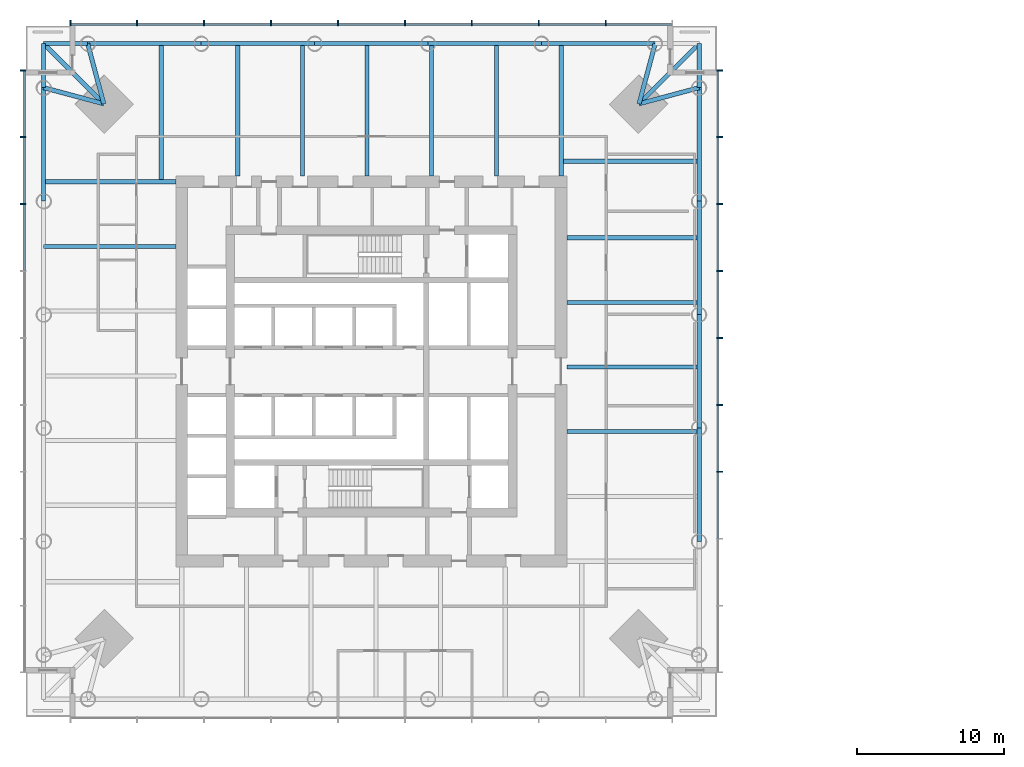
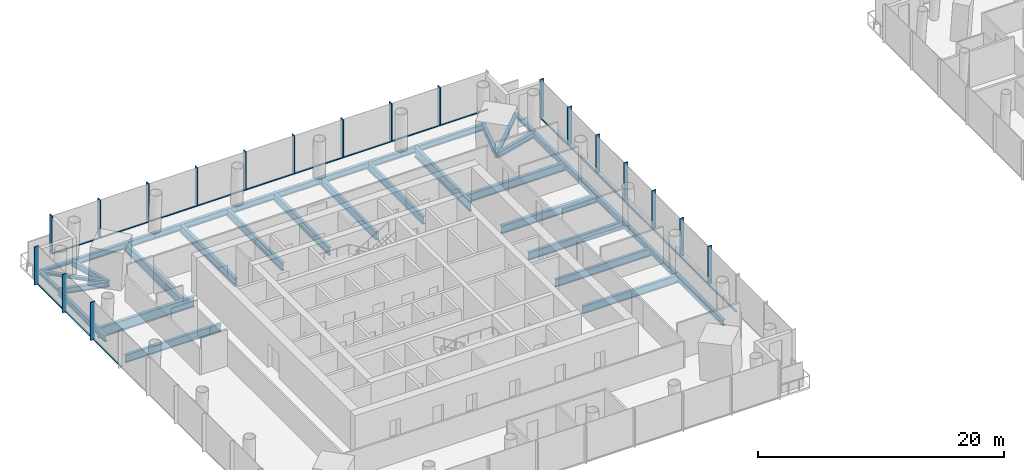
# One storey, part 3 of 18: 38 members, 33 beams, 3 elements without a shape of their own.
"""IFC4 building model written with IfcOpenShell, lengths in metres."""

from ifc_helpers import new_model, si_unit, direction, frame, origin, origin_2d, place, context, subcontext, project, spatial, rectangle, i_section, extrude, material, material_profile, profile_set, type_object, element, aggregate, save


model = new_model("IFC4")

# Units and contexts
model_context = context("Model", 3, precision=1e-05, world=origin(), true_north=direction((0.0, 1.0)))
body_context = subcontext(model_context, "Body", "Model", "MODEL_VIEW")
ifc_project = project(units=[si_unit("LENGTHUNIT", "METRE"), si_unit("AREAUNIT", "SQUARE_METRE"), si_unit("VOLUMEUNIT", "CUBIC_METRE"), si_unit("PLANEANGLEUNIT", "RADIAN"), si_unit("MASSUNIT", "GRAM", prefix="KILO")], contexts=[model_context])

# Site, building, storey
site_placement = place(None, origin())
site = spatial("IfcSite", under=ifc_project, at=site_placement, CompositionType="ELEMENT")
building_placement = place(site_placement, origin())
building = spatial("IfcBuilding", under=site, at=building_placement, Name="Ostroluk Exchange", CompositionType="ELEMENT")
storey_placement = place(building_placement, frame((0.0, 0.0, 74.199951171875)))
storey = spatial("IfcBuildingStorey", under=building, at=storey_placement, Name="L18", CompositionType="ELEMENT", Elevation=74.199951171875)

# Beams
ifc_material_1 = material(Name="Steel S355", Category="steel")
ifc_material_profile_1 = material_profile(ifc_material_1, i_section(OverallWidth=0.300048828125, OverallDepth=0.300048828125, WebThickness=0.010986328125, FlangeThickness=0.01904296875, FilletRadius=0.027099609375, at=origin_2d()), Name="HEB 300")
ifc_profile_set_1 = profile_set([ifc_material_profile_1], Name="Steel S355")
beam_type_1 = type_object("IfcBeamType", Name="Balcony beam HEB 300", PredefinedType="BEAM", material=ifc_profile_set_1)
beam_1_placement = place(storey_placement, frame((67.300048828125, 65.300048828125, -0.329833984375), z_axis=(0.0, 1.0, 0.0), x_axis=(-1.0, 0.0, 0.0)))
element("IfcBeam", 1, at=beam_1_placement, inside=storey, type_object=beam_type_1, Name="T1 east balcony beam a", PredefinedType="BEAM", context=body_context, shape_type="SweptSolid", body=[
    extrude(i_section(OverallWidth=0.300048828125, OverallDepth=0.300048828125, WebThickness=0.010986328125, FlangeThickness=0.01904296875, FilletRadius=0.027099609375, at=origin_2d()), origin(), (0.0, 0.0, 1.0), 3.0),
])
beam_2_placement = place(storey_placement, frame((63.199951171875, 64.199951171875, -0.329833984375), z_axis=(0.707106781187, 0.707106781187, 0.0), x_axis=(-0.707106781187, 0.707106781187, 0.0)))
element("IfcBeam", 2, at=beam_2_placement, inside=storey, type_object=beam_type_1, Name="T1 east balcony beam c", PredefinedType="BEAM", context=body_context, shape_type="SweptSolid", body=[
    extrude(i_section(OverallWidth=0.300048828125, OverallDepth=0.300048828125, WebThickness=0.010986328125, FlangeThickness=0.01904296875, FilletRadius=0.027099609375, at=origin_2d()), origin(), (0.0, 0.0, 1.0), 5.79833984375),
])
for number, where, z_axis, x_axis, name in (
    (3, (25.699951171875, 68.300048828125, -0.329833984375), (-1.0, 0.0, 0.0), (0.0, -1.0, 0.0), "T1 north balcony beam a"),
    (4, (22.699951171875, 65.300048828125, -0.329833984375), (0.0, 1.0, 0.0), (-1.0, 0.0, 0.0), "T1 north balcony beam b"),
):
    element("IfcBeam", number, at=place(storey_placement, frame(where, z_axis=z_axis, x_axis=x_axis)), inside=storey, type_object=beam_type_1, Name=name, PredefinedType="BEAM", context=body_context, shape_type="SweptSolid", body=[
        extrude(i_section(OverallWidth=0.300048828125, OverallDepth=0.300048828125, WebThickness=0.010986328125, FlangeThickness=0.01904296875, FilletRadius=0.027099609375, at=origin_2d()), origin(), (0.0, 0.0, 1.0), 3.0),
    ])
beam_3_placement = place(storey_placement, frame((26.800048828125, 64.199951171875, -0.329833984375), z_axis=(-0.707106781187, 0.707106781187, 0.0), x_axis=(-0.707106781187, -0.707106781187, 0.0)))
element("IfcBeam", 5, at=beam_3_placement, inside=storey, type_object=beam_type_1, Name="T1 north balcony beam c", PredefinedType="BEAM", context=body_context, shape_type="SweptSolid", body=[
    extrude(i_section(OverallWidth=0.300048828125, OverallDepth=0.300048828125, WebThickness=0.010986328125, FlangeThickness=0.01904296875, FilletRadius=0.027099609375, at=origin_2d()), origin(), (0.0, 0.0, 1.0), 5.79833984375),
])
ifc_material_2 = material(Name="Steel S355", Category="steel")
ifc_material_profile_2 = material_profile(ifc_material_2, i_section(OverallWidth=0.300048828125, OverallDepth=0.550048828125, WebThickness=0.014892578125, FlangeThickness=0.029052734375, FilletRadius=0.027099609375, at=origin_2d()), Name="HEB 550")
ifc_profile_set_2 = profile_set([ifc_material_profile_2], Name="Steel S355")
beam_type_2 = type_object("IfcBeamType", Name="Corner edge beam HEB 550", PredefinedType="SPANDREL", material=ifc_profile_set_2)
for number, where, z_axis, x_axis, name in (
    (6, (63.199951171875, 64.199951171875, -0.454833984375), (0.965838624319, 0.259144268261, 0.0), (-0.259144268261, 0.965838624319, 0.0), "T1 east corner edge beam a"),
    (7, (63.199951171875, 64.199951171875, -0.454833984375), (0.259144268261, 0.965838624319, 0.0), (-0.965838624319, 0.259144268261, 0.0), "T1 east corner edge beam b"),
    (8, (26.800048828125, 64.199951171875, -0.454833984375), (-0.259144268261, 0.965838624319, 0.0), (-0.965838624319, -0.259144268261, 0.0), "T1 north corner edge beam a"),
    (9, (26.800048828125, 64.199951171875, -0.454833984375), (-0.965838624319, 0.259144268261, 0.0), (-0.259144268261, -0.965838624319, 0.0), "T1 north corner edge beam b"),
):
    element("IfcBeam", number, at=place(storey_placement, frame(where, z_axis=z_axis, x_axis=x_axis)), inside=storey, type_object=beam_type_2, Name=name, PredefinedType="SPANDREL", context=body_context, shape_type="SweptSolid", body=[
        extrude(i_section(OverallWidth=0.300048828125, OverallDepth=0.550048828125, WebThickness=0.014892578125, FlangeThickness=0.029052734375, FilletRadius=0.027099609375, at=origin_2d()), origin(), (0.0, 0.0, 1.0), 4.2451171875),
    ])
ifc_material_3 = material(Name="Steel S355", Category="steel")
ifc_material_profile_3 = material_profile(ifc_material_3, i_section(OverallWidth=0.302978515625, OverallDepth=0.81396484375, WebThickness=0.02099609375, FlangeThickness=0.0400390625, FilletRadius=0.030029296875, at=origin_2d()), Name="HEM 800")
ifc_profile_set_3 = profile_set([ifc_material_profile_3], Name="Steel S355")
beam_type_3 = type_object("IfcBeamType", Name="Floor beam HEM 800", PredefinedType="BEAM", material=ifc_profile_set_3)
beam_4_placement = place(storey_placement, frame((58.300048828125, 55.10009765625, -0.5869140625), z_axis=(1.0, 0.0, 0.0), x_axis=(0.0, 1.0, 0.0)))
element("IfcBeam", 10, at=beam_4_placement, inside=storey, type_object=beam_type_3, Name="T1 east floor beam 5", PredefinedType="BEAM", context=body_context, shape_type="SweptSolid", body=[
    extrude(i_section(OverallWidth=0.302978515625, OverallDepth=0.81396484375, WebThickness=0.02099609375, FlangeThickness=0.0400390625, FilletRadius=0.030029296875, at=origin_2d()), origin(), (0.0, 0.0, 1.0), 9.0),
])
beam_5_placement = place(storey_placement, frame((57.89990234375, 60.300048828125, -0.5869140625), z_axis=(1.0, 0.0, 0.0), x_axis=(0.0, 1.0, 0.0)))
element("IfcBeam", 11, at=beam_5_placement, inside=storey, type_object=beam_type_3, Name="T1 east floor beam 6", PredefinedType="BEAM", context=body_context, shape_type="SweptSolid", body=[
    extrude(i_section(OverallWidth=0.302978515625, OverallDepth=0.81396484375, WebThickness=0.02099609375, FlangeThickness=0.0400390625, FilletRadius=0.030029296875, at=origin_2d()), origin(), (0.0, 0.0, 1.0), 9.400146484375),
])
beam_6_placement = place(storey_placement, frame((35.89990234375, 59.300048828125, -0.5869140625), z_axis=(0.0, 1.0, 0.0), x_axis=(-1.0, 0.0, 0.0)))
element("IfcBeam", 12, at=beam_6_placement, inside=storey, type_object=beam_type_3, Name="T1 north floor beam 5", PredefinedType="BEAM", context=body_context, shape_type="SweptSolid", body=[
    extrude(i_section(OverallWidth=0.302978515625, OverallDepth=0.81396484375, WebThickness=0.02099609375, FlangeThickness=0.0400390625, FilletRadius=0.030029296875, at=origin_2d()), origin(), (0.0, 0.0, 1.0), 9.0),
])
beam_7_placement = place(storey_placement, frame((30.699951171875, 58.89990234375, -0.5869140625), z_axis=(0.0, 1.0, 0.0), x_axis=(-1.0, 0.0, 0.0)))
element("IfcBeam", 13, at=beam_7_placement, inside=storey, type_object=beam_type_3, Name="T1 north floor beam 6", PredefinedType="BEAM", context=body_context, shape_type="SweptSolid", body=[
    extrude(i_section(OverallWidth=0.302978515625, OverallDepth=0.81396484375, WebThickness=0.02099609375, FlangeThickness=0.0400390625, FilletRadius=0.030029296875, at=origin_2d()), origin(), (0.0, 0.0, 1.0), 9.400146484375),
])
ifc_material_4 = material(Name="Steel S355", Category="steel")
ifc_material_profile_4 = material_profile(ifc_material_4, i_section(OverallWidth=0.26806640625, OverallDepth=0.77001953125, WebThickness=0.015625, FlangeThickness=0.025390625, FilletRadius=0.01708984375, at=origin_2d()), Name="IPE 750x196")
ifc_profile_set_4 = profile_set([ifc_material_profile_4], Name="Steel S355")
beam_type_4 = type_object("IfcBeamType", Name="Floor beam IPE 750x196", PredefinedType="BEAM", material=ifc_profile_set_4)
for number, where, z_axis, x_axis, name in (
    (14, (58.300048828125, 41.89990234375, -0.56494140625), (1.0, 0.0, 0.0), (0.0, 1.0, 0.0), "T1 east floor beam 2"),
    (15, (58.300048828125, 46.300048828125, -0.56494140625), (1.0, 0.0, 0.0), (0.0, 1.0, 0.0), "T1 east floor beam 3"),
    (16, (58.300048828125, 50.699951171875, -0.56494140625), (1.0, 0.0, 0.0), (0.0, 1.0, 0.0), "T1 east floor beam 4"),
    (17, (53.5, 59.300048828125, -0.56494140625), (0.0, 1.0, 0.0), (-1.0, 0.0, 0.0), "T1 north floor beam 1"),
    (18, (49.10009765625, 59.300048828125, -0.56494140625), (0.0, 1.0, 0.0), (-1.0, 0.0, 0.0), "T1 north floor beam 2"),
    (19, (44.699951171875, 59.300048828125, -0.56494140625), (0.0, 1.0, 0.0), (-1.0, 0.0, 0.0), "T1 north floor beam 3"),
    (20, (40.300048828125, 59.300048828125, -0.56494140625), (0.0, 1.0, 0.0), (-1.0, 0.0, 0.0), "T1 north floor beam 4"),
    (21, (31.699951171875, 54.5, -0.56494140625), (-1.0, 0.0, 0.0), (0.0, -1.0, 0.0), "T1 west floor beam 1"),
):
    element("IfcBeam", number, at=place(storey_placement, frame(where, z_axis=z_axis, x_axis=x_axis)), inside=storey, type_object=beam_type_4, Name=name, PredefinedType="BEAM", context=body_context, shape_type="SweptSolid", body=[
        extrude(i_section(OverallWidth=0.26806640625, OverallDepth=0.77001953125, WebThickness=0.015625, FlangeThickness=0.025390625, FilletRadius=0.01708984375, at=origin_2d()), origin(), (0.0, 0.0, 1.0), 9.0),
    ])
ifc_material_5 = material(Name="Steel S355", Category="steel")
ifc_material_profile_5 = material_profile(ifc_material_5, i_section(OverallWidth=0.302001953125, OverallDepth=1.008056640625, WebThickness=0.02099609375, FlangeThickness=0.0400390625, FilletRadius=0.030029296875, at=origin_2d()), Name="HEM 1000")
ifc_profile_set_5 = profile_set([ifc_material_profile_5], Name="Steel S355")
beam_type_5 = type_object("IfcBeamType", Name="Girder HEM 1000", PredefinedType="BEAM", material=ifc_profile_set_5)
for number, where, z_axis, x_axis, name in (
    (22, (57.89990234375, 59.300048828125, -0.683837890625), (0.0, 1.0, 0.0), (-1.0, 0.0, 0.0), "T1 east girder"),
    (23, (31.699951171875, 58.89990234375, -0.683837890625), (-1.0, 0.0, 0.0), (0.0, -1.0, 0.0), "T1 north girder"),
):
    element("IfcBeam", number, at=place(storey_placement, frame(where, z_axis=z_axis, x_axis=x_axis)), inside=storey, type_object=beam_type_5, Name=name, PredefinedType="BEAM", context=body_context, shape_type="SweptSolid", body=[
        extrude(i_section(OverallWidth=0.302001953125, OverallDepth=1.008056640625, WebThickness=0.02099609375, FlangeThickness=0.0400390625, FilletRadius=0.030029296875, at=origin_2d()), origin(), (0.0, 0.0, 1.0), 9.0),
    ])
ifc_material_6 = material(Name="Steel S355", Category="steel")
ifc_material_profile_6 = material_profile(ifc_material_6, i_section(OverallWidth=0.300048828125, OverallDepth=0.60009765625, WebThickness=0.015380859375, FlangeThickness=0.030029296875, FilletRadius=0.027099609375, at=origin_2d()), Name="HEB 600")
ifc_profile_set_6 = profile_set([ifc_material_profile_6], Name="Steel S355")
beam_type_6 = type_object("IfcBeamType", Name="Moment-connected edge beam HEB 600", PredefinedType="SPANDREL", material=ifc_profile_set_6)
beam_8_placement = place(storey_placement, frame((67.300048828125, 34.419921875, -0.47998046875), z_axis=(0.0, 1.0, 0.0), x_axis=(-1.0, 0.0, 0.0)))
element("IfcBeam", 24, at=beam_8_placement, inside=storey, type_object=beam_type_6, Name="T1 east edge beam 2", PredefinedType="SPANDREL", context=body_context, shape_type="SweptSolid", body=[
    extrude(i_section(OverallWidth=0.300048828125, OverallDepth=0.60009765625, WebThickness=0.015380859375, FlangeThickness=0.030029296875, FilletRadius=0.027099609375, at=origin_2d()), origin(), (0.0, 0.0, 1.0), 7.719970703125),
])
beam_9_placement = place(storey_placement, frame((67.300048828125, 42.139892578125, -0.47998046875), z_axis=(0.0, 1.0, 0.0), x_axis=(-1.0, 0.0, 0.0)))
element("IfcBeam", 25, at=beam_9_placement, inside=storey, type_object=beam_type_6, Name="T1 east edge beam 3", PredefinedType="SPANDREL", context=body_context, shape_type="SweptSolid", body=[
    extrude(i_section(OverallWidth=0.300048828125, OverallDepth=0.60009765625, WebThickness=0.015380859375, FlangeThickness=0.030029296875, FilletRadius=0.027099609375, at=origin_2d()), origin(), (0.0, 0.0, 1.0), 7.72021484375),
])
for number, where, z_axis, x_axis, name in (
    (26, (67.300048828125, 49.860107421875, -0.47998046875), (0.0, 1.0, 0.0), (-1.0, 0.0, 0.0), "T1 east edge beam 4"),
    (27, (67.300048828125, 57.580078125, -0.47998046875), (0.0, 1.0, 0.0), (-1.0, 0.0, 0.0), "T1 east edge beam 5"),
    (28, (64.300048828125, 68.300048828125, -0.47998046875), (-1.0, 0.0, 0.0), (0.0, -1.0, 0.0), "T1 north edge beam 1"),
    (29, (56.580078125, 68.300048828125, -0.47998046875), (-1.0, 0.0, 0.0), (0.0, -1.0, 0.0), "T1 north edge beam 2"),
):
    element("IfcBeam", number, at=place(storey_placement, frame(where, z_axis=z_axis, x_axis=x_axis)), inside=storey, type_object=beam_type_6, Name=name, PredefinedType="SPANDREL", context=body_context, shape_type="SweptSolid", body=[
        extrude(i_section(OverallWidth=0.300048828125, OverallDepth=0.60009765625, WebThickness=0.015380859375, FlangeThickness=0.030029296875, FilletRadius=0.027099609375, at=origin_2d()), origin(), (0.0, 0.0, 1.0), 7.719970703125),
    ])
beam_10_placement = place(storey_placement, frame((48.860107421875, 68.300048828125, -0.47998046875), z_axis=(-1.0, 0.0, 0.0), x_axis=(0.0, -1.0, 0.0)))
element("IfcBeam", 30, at=beam_10_placement, inside=storey, type_object=beam_type_6, Name="T1 north edge beam 3", PredefinedType="SPANDREL", context=body_context, shape_type="SweptSolid", body=[
    extrude(i_section(OverallWidth=0.300048828125, OverallDepth=0.60009765625, WebThickness=0.015380859375, FlangeThickness=0.030029296875, FilletRadius=0.027099609375, at=origin_2d()), origin(), (0.0, 0.0, 1.0), 7.72021484375),
])
for number, where, z_axis, x_axis, name in (
    (31, (41.139892578125, 68.300048828125, -0.47998046875), (-1.0, 0.0, 0.0), (0.0, -1.0, 0.0), "T1 north edge beam 4"),
    (32, (33.419921875, 68.300048828125, -0.47998046875), (-1.0, 0.0, 0.0), (0.0, -1.0, 0.0), "T1 north edge beam 5"),
    (33, (22.699951171875, 65.300048828125, -0.47998046875), (0.0, -1.0, 0.0), (1.0, 0.0, 0.0), "T1 west edge beam 1"),
):
    element("IfcBeam", number, at=place(storey_placement, frame(where, z_axis=z_axis, x_axis=x_axis)), inside=storey, type_object=beam_type_6, Name=name, PredefinedType="SPANDREL", context=body_context, shape_type="SweptSolid", body=[
        extrude(i_section(OverallWidth=0.300048828125, OverallDepth=0.60009765625, WebThickness=0.015380859375, FlangeThickness=0.030029296875, FilletRadius=0.027099609375, at=origin_2d()), origin(), (0.0, 0.0, 1.0), 7.719970703125),
    ])

# Curtain wall, members
ifc_material_7 = material(Name="Laminated clear glass", Category="glass")
curtain_wall_type = type_object("IfcCurtainWallType", Name="Office tower facade", PredefinedType="USERDEFINED", material=ifc_material_7)
curtain_wall_1_placement = place(storey_placement, origin())
curtain_wall_1 = element("IfcCurtainWall", 34, at=curtain_wall_1_placement, inside=storey, type_object=curtain_wall_type, Name="Office tower east facade L18", ObjectType="UNITISED CURTAIN WALL", PredefinedType="USERDEFINED")
ifc_material_8 = material(Name="Aluminium mullion", Category="aluminium")
ifc_material_profile_7 = material_profile(ifc_material_8, rectangle(XDim=0.14990234375, YDim=0.080078125, at=origin_2d()), Name="Sill transom 80 x 150")
ifc_profile_set_7 = profile_set([ifc_material_profile_7], Name="Aluminium mullion")
member_type_1 = type_object("IfcMemberType", Name="Sill transom 80 x 150", PredefinedType="USERDEFINED", material=ifc_profile_set_7)
member_1_placement = place(storey_placement, frame((68.574951171875, 34.651123046875, 0.0400390625), z_axis=(0.0, 1.0, 0.0), x_axis=(-1.0, 0.0, 0.0)))
member_1 = element("IfcMember", 35, at=member_1_placement, type_object=member_type_1, Name="CW-O1 transom 3.1", ObjectType="TRANSOM", PredefinedType="USERDEFINED", context=body_context, shape_type="SweptSolid", body=[
    extrude(rectangle(XDim=0.14990234375, YDim=0.080078125, at=origin_2d()), origin(), (0.0, 0.0, 1.0), 4.4755859375),
])
member_2_placement = place(storey_placement, frame((68.574951171875, 39.206787109375, 0.0400390625), z_axis=(0.0, 1.0, 0.0), x_axis=(-1.0, 0.0, 0.0)))
member_2 = element("IfcMember", 36, at=member_2_placement, type_object=member_type_1, Name="CW-O1 transom 4.1", ObjectType="TRANSOM", PredefinedType="USERDEFINED", context=body_context, shape_type="SweptSolid", body=[
    extrude(rectangle(XDim=0.14990234375, YDim=0.080078125, at=origin_2d()), origin(), (0.0, 0.0, 1.0), 4.475341796875),
])
member_3_placement = place(storey_placement, frame((68.574951171875, 43.76220703125, 0.0400390625), z_axis=(0.0, 1.0, 0.0), x_axis=(-1.0, 0.0, 0.0)))
member_3 = element("IfcMember", 37, at=member_3_placement, type_object=member_type_1, Name="CW-O1 transom 5.1", ObjectType="TRANSOM", PredefinedType="USERDEFINED", context=body_context, shape_type="SweptSolid", body=[
    extrude(rectangle(XDim=0.14990234375, YDim=0.080078125, at=origin_2d()), origin(), (0.0, 0.0, 1.0), 4.4755859375),
])
member_4_placement = place(storey_placement, frame((68.574951171875, 48.31787109375, 0.0400390625), z_axis=(0.0, 1.0, 0.0), x_axis=(-1.0, 0.0, 0.0)))
member_4 = element("IfcMember", 38, at=member_4_placement, type_object=member_type_1, Name="CW-O1 transom 6.1", ObjectType="TRANSOM", PredefinedType="USERDEFINED", context=body_context, shape_type="SweptSolid", body=[
    extrude(rectangle(XDim=0.14990234375, YDim=0.080078125, at=origin_2d()), origin(), (0.0, 0.0, 1.0), 4.475341796875),
])
member_5_placement = place(storey_placement, frame((68.574951171875, 52.873291015625, 0.0400390625), z_axis=(0.0, 1.0, 0.0), x_axis=(-1.0, 0.0, 0.0)))
member_5 = element("IfcMember", 39, at=member_5_placement, type_object=member_type_1, Name="CW-O1 transom 7.1", ObjectType="TRANSOM", PredefinedType="USERDEFINED", context=body_context, shape_type="SweptSolid", body=[
    extrude(rectangle(XDim=0.14990234375, YDim=0.080078125, at=origin_2d()), origin(), (0.0, 0.0, 1.0), 4.4755859375),
])
member_6_placement = place(storey_placement, frame((68.574951171875, 57.428955078125, 0.0400390625), z_axis=(0.0, 1.0, 0.0), x_axis=(-1.0, 0.0, 0.0)))
member_6 = element("IfcMember", 40, at=member_6_placement, type_object=member_type_1, Name="CW-O1 transom 8.1", ObjectType="TRANSOM", PredefinedType="USERDEFINED", context=body_context, shape_type="SweptSolid", body=[
    extrude(rectangle(XDim=0.14990234375, YDim=0.080078125, at=origin_2d()), origin(), (0.0, 0.0, 1.0), 4.4755859375),
])
member_7_placement = place(storey_placement, frame((68.574951171875, 61.984375, 0.0400390625), z_axis=(0.0, 1.0, 0.0), x_axis=(-1.0, 0.0, 0.0)))
member_7 = element("IfcMember", 41, at=member_7_placement, type_object=member_type_1, Name="CW-O1 transom 9.1", ObjectType="TRANSOM", PredefinedType="USERDEFINED", context=body_context, shape_type="SweptSolid", body=[
    extrude(rectangle(XDim=0.14990234375, YDim=0.080078125, at=origin_2d()), origin(), (0.0, 0.0, 1.0), 4.435546875),
])

curtain_wall_2_placement = place(storey_placement, origin())
curtain_wall_2 = element("IfcCurtainWall", 42, at=curtain_wall_2_placement, inside=storey, type_object=curtain_wall_type, Name="Office tower north facade L18", ObjectType="UNITISED CURTAIN WALL", PredefinedType="USERDEFINED")
member_8_placement = place(storey_placement, frame((65.419921875, 69.574951171875, 0.0400390625), z_axis=(-1.0, 0.0, 0.0), x_axis=(0.0, -1.0, 0.0)))
member_8 = element("IfcMember", 43, at=member_8_placement, type_object=member_type_1, Name="CW-O1 transom 1.1", ObjectType="TRANSOM", PredefinedType="USERDEFINED", context=body_context, shape_type="SweptSolid", body=[
    extrude(rectangle(XDim=0.14990234375, YDim=0.080078125, at=origin_2d()), origin(), (0.0, 0.0, 1.0), 4.435546875),
])
member_9_placement = place(storey_placement, frame((60.904541015625, 69.574951171875, 0.0400390625), z_axis=(-1.0, 0.0, 0.0), x_axis=(0.0, -1.0, 0.0)))
member_9 = element("IfcMember", 44, at=member_9_placement, type_object=member_type_1, Name="CW-O1 transom 2.1", ObjectType="TRANSOM", PredefinedType="USERDEFINED", context=body_context, shape_type="SweptSolid", body=[
    extrude(rectangle(XDim=0.14990234375, YDim=0.080078125, at=origin_2d()), origin(), (0.0, 0.0, 1.0), 4.4755859375),
])
member_10_placement = place(storey_placement, frame((56.348876953125, 69.574951171875, 0.0400390625), z_axis=(-1.0, 0.0, 0.0), x_axis=(0.0, -1.0, 0.0)))
member_10 = element("IfcMember", 45, at=member_10_placement, type_object=member_type_1, Name="CW-O1 transom 3.1", ObjectType="TRANSOM", PredefinedType="USERDEFINED", context=body_context, shape_type="SweptSolid", body=[
    extrude(rectangle(XDim=0.14990234375, YDim=0.080078125, at=origin_2d()), origin(), (0.0, 0.0, 1.0), 4.4755859375),
])
member_11_placement = place(storey_placement, frame((51.793212890625, 69.574951171875, 0.0400390625), z_axis=(-1.0, 0.0, 0.0), x_axis=(0.0, -1.0, 0.0)))
member_11 = element("IfcMember", 46, at=member_11_placement, type_object=member_type_1, Name="CW-O1 transom 4.1", ObjectType="TRANSOM", PredefinedType="USERDEFINED", context=body_context, shape_type="SweptSolid", body=[
    extrude(rectangle(XDim=0.14990234375, YDim=0.080078125, at=origin_2d()), origin(), (0.0, 0.0, 1.0), 4.475341796875),
])
member_12_placement = place(storey_placement, frame((47.23779296875, 69.574951171875, 0.0400390625), z_axis=(-1.0, 0.0, 0.0), x_axis=(0.0, -1.0, 0.0)))
member_12 = element("IfcMember", 47, at=member_12_placement, type_object=member_type_1, Name="CW-O1 transom 5.1", ObjectType="TRANSOM", PredefinedType="USERDEFINED", context=body_context, shape_type="SweptSolid", body=[
    extrude(rectangle(XDim=0.14990234375, YDim=0.080078125, at=origin_2d()), origin(), (0.0, 0.0, 1.0), 4.4755859375),
])
member_13_placement = place(storey_placement, frame((42.68212890625, 69.574951171875, 0.0400390625), z_axis=(-1.0, 0.0, 0.0), x_axis=(0.0, -1.0, 0.0)))
member_13 = element("IfcMember", 48, at=member_13_placement, type_object=member_type_1, Name="CW-O1 transom 6.1", ObjectType="TRANSOM", PredefinedType="USERDEFINED", context=body_context, shape_type="SweptSolid", body=[
    extrude(rectangle(XDim=0.14990234375, YDim=0.080078125, at=origin_2d()), origin(), (0.0, 0.0, 1.0), 4.475341796875),
])
member_14_placement = place(storey_placement, frame((38.126708984375, 69.574951171875, 0.0400390625), z_axis=(-1.0, 0.0, 0.0), x_axis=(0.0, -1.0, 0.0)))
member_14 = element("IfcMember", 49, at=member_14_placement, type_object=member_type_1, Name="CW-O1 transom 7.1", ObjectType="TRANSOM", PredefinedType="USERDEFINED", context=body_context, shape_type="SweptSolid", body=[
    extrude(rectangle(XDim=0.14990234375, YDim=0.080078125, at=origin_2d()), origin(), (0.0, 0.0, 1.0), 4.4755859375),
])
member_15_placement = place(storey_placement, frame((33.571044921875, 69.574951171875, 0.0400390625), z_axis=(-1.0, 0.0, 0.0), x_axis=(0.0, -1.0, 0.0)))
member_15 = element("IfcMember", 50, at=member_15_placement, type_object=member_type_1, Name="CW-O1 transom 8.1", ObjectType="TRANSOM", PredefinedType="USERDEFINED", context=body_context, shape_type="SweptSolid", body=[
    extrude(rectangle(XDim=0.14990234375, YDim=0.080078125, at=origin_2d()), origin(), (0.0, 0.0, 1.0), 4.4755859375),
])
member_16_placement = place(storey_placement, frame((29.015625, 69.574951171875, 0.0400390625), z_axis=(-1.0, 0.0, 0.0), x_axis=(0.0, -1.0, 0.0)))
member_16 = element("IfcMember", 51, at=member_16_placement, type_object=member_type_1, Name="CW-O1 transom 9.1", ObjectType="TRANSOM", PredefinedType="USERDEFINED", context=body_context, shape_type="SweptSolid", body=[
    extrude(rectangle(XDim=0.14990234375, YDim=0.080078125, at=origin_2d()), origin(), (0.0, 0.0, 1.0), 4.435546875),
])

curtain_wall_3_placement = place(storey_placement, origin())
curtain_wall_3 = element("IfcCurtainWall", 52, at=curtain_wall_3_placement, inside=storey, type_object=curtain_wall_type, Name="Office tower west facade L18", ObjectType="UNITISED CURTAIN WALL", PredefinedType="USERDEFINED")
member_17_placement = place(storey_placement, frame((21.425048828125, 66.419921875, 0.0400390625), z_axis=(0.0, -1.0, 0.0), x_axis=(1.0, 0.0, 0.0)))
member_17 = element("IfcMember", 53, at=member_17_placement, type_object=member_type_1, Name="CW-O1 transom 1.1", ObjectType="TRANSOM", PredefinedType="USERDEFINED", context=body_context, shape_type="SweptSolid", body=[
    extrude(rectangle(XDim=0.14990234375, YDim=0.080078125, at=origin_2d()), origin(), (0.0, 0.0, 1.0), 4.435546875),
])
member_18_placement = place(storey_placement, frame((21.425048828125, 61.904541015625, 0.0400390625), z_axis=(0.0, -1.0, 0.0), x_axis=(1.0, 0.0, 0.0)))
member_18 = element("IfcMember", 54, at=member_18_placement, type_object=member_type_1, Name="CW-O1 transom 2.1", ObjectType="TRANSOM", PredefinedType="USERDEFINED", context=body_context, shape_type="SweptSolid", body=[
    extrude(rectangle(XDim=0.14990234375, YDim=0.080078125, at=origin_2d()), origin(), (0.0, 0.0, 1.0), 4.4755859375),
])
member_19_placement = place(storey_placement, frame((21.425048828125, 57.348876953125, 0.0400390625), z_axis=(0.0, -1.0, 0.0), x_axis=(1.0, 0.0, 0.0)))
member_19 = element("IfcMember", 55, at=member_19_placement, type_object=member_type_1, Name="CW-O1 transom 3.1", ObjectType="TRANSOM", PredefinedType="USERDEFINED", context=body_context, shape_type="SweptSolid", body=[
    extrude(rectangle(XDim=0.14990234375, YDim=0.080078125, at=origin_2d()), origin(), (0.0, 0.0, 1.0), 4.4755859375),
])

# Member
ifc_material_9 = material(Name="Aluminium mullion with limestone facing", Category="masonry")
ifc_material_profile_8 = material_profile(ifc_material_9, rectangle(XDim=0.39990234375, YDim=0.080078125, at=origin_2d()), Name="Tracery mullion 80 x 400")
ifc_profile_set_8 = profile_set([ifc_material_profile_8], Name="Aluminium mullion with limestone facing")
member_type_2 = type_object("IfcMemberType", Name="Tracery mullion 80 x 400", PredefinedType="MULLION", material=ifc_profile_set_8)
member_20_placement = place(storey_placement, frame((68.699951171875, 39.166748046875, 0.0), z_axis=(0.0, 0.0, 1.0), x_axis=(-1.0, 0.0, 0.0)))
member_20 = element("IfcMember", 56, at=member_20_placement, type_object=member_type_2, Name="CW-O1 mullion 4", PredefinedType="MULLION", context=body_context, shape_type="SweptSolid", body=[
    extrude(rectangle(XDim=0.39990234375, YDim=0.080078125, at=origin_2d()), origin(), (0.0, 0.0, 1.0), 3.800048828125),
])

member_21_placement = place(storey_placement, frame((68.699951171875, 43.72216796875, 0.0), z_axis=(0.0, 0.0, 1.0), x_axis=(-1.0, 0.0, 0.0)))
member_21 = element("IfcMember", 57, at=member_21_placement, type_object=member_type_2, Name="CW-O1 mullion 5", PredefinedType="MULLION", context=body_context, shape_type="SweptSolid", body=[
    extrude(rectangle(XDim=0.39990234375, YDim=0.080078125, at=origin_2d()), origin(), (0.0, 0.0, 1.0), 3.800048828125),
])

member_22_placement = place(storey_placement, frame((68.699951171875, 48.27783203125, 0.0), z_axis=(0.0, 0.0, 1.0), x_axis=(-1.0, 0.0, 0.0)))
member_22 = element("IfcMember", 58, at=member_22_placement, type_object=member_type_2, Name="CW-O1 mullion 6", PredefinedType="MULLION", context=body_context, shape_type="SweptSolid", body=[
    extrude(rectangle(XDim=0.39990234375, YDim=0.080078125, at=origin_2d()), origin(), (0.0, 0.0, 1.0), 3.800048828125),
])

member_23_placement = place(storey_placement, frame((68.699951171875, 52.833251953125, 0.0), z_axis=(0.0, 0.0, 1.0), x_axis=(-1.0, 0.0, 0.0)))
member_23 = element("IfcMember", 59, at=member_23_placement, type_object=member_type_2, Name="CW-O1 mullion 7", PredefinedType="MULLION", context=body_context, shape_type="SweptSolid", body=[
    extrude(rectangle(XDim=0.39990234375, YDim=0.080078125, at=origin_2d()), origin(), (0.0, 0.0, 1.0), 3.800048828125),
])

member_24_placement = place(storey_placement, frame((68.699951171875, 57.388916015625, 0.0), z_axis=(0.0, 0.0, 1.0), x_axis=(-1.0, 0.0, 0.0)))
member_24 = element("IfcMember", 60, at=member_24_placement, type_object=member_type_2, Name="CW-O1 mullion 8", PredefinedType="MULLION", context=body_context, shape_type="SweptSolid", body=[
    extrude(rectangle(XDim=0.39990234375, YDim=0.080078125, at=origin_2d()), origin(), (0.0, 0.0, 1.0), 3.800048828125),
])

member_25_placement = place(storey_placement, frame((68.699951171875, 61.9443359375, 0.0), z_axis=(0.0, 0.0, 1.0), x_axis=(-1.0, 0.0, 0.0)))
member_25 = element("IfcMember", 61, at=member_25_placement, type_object=member_type_2, Name="CW-O1 mullion 9", PredefinedType="MULLION", context=body_context, shape_type="SweptSolid", body=[
    extrude(rectangle(XDim=0.39990234375, YDim=0.080078125, at=origin_2d()), origin(), (0.0, 0.0, 1.0), 3.800048828125),
])

member_26_placement = place(storey_placement, frame((68.699951171875, 66.4599609375, 0.0), z_axis=(0.0, 0.0, 1.0), x_axis=(-1.0, 0.0, 0.0)))
member_26 = element("IfcMember", 62, at=member_26_placement, type_object=member_type_2, Name="CW-O1 mullion 10", PredefinedType="MULLION", context=body_context, shape_type="SweptSolid", body=[
    extrude(rectangle(XDim=0.39990234375, YDim=0.080078125, at=origin_2d()), origin(), (0.0, 0.0, 1.0), 3.800048828125),
])

aggregate(curtain_wall_1, [member_20, member_21, member_22, member_23, member_24, member_25, member_26, member_1, member_2, member_3, member_4, member_5, member_6, member_7])

member_27_placement = place(storey_placement, frame((60.9443359375, 69.699951171875, 0.0), z_axis=(0.0, 0.0, 1.0), x_axis=(0.0, -1.0, 0.0)))
member_27 = element("IfcMember", 63, at=member_27_placement, type_object=member_type_2, Name="CW-O1 mullion 2", PredefinedType="MULLION", context=body_context, shape_type="SweptSolid", body=[
    extrude(rectangle(XDim=0.39990234375, YDim=0.080078125, at=origin_2d()), origin(), (0.0, 0.0, 1.0), 3.800048828125),
])

member_28_placement = place(storey_placement, frame((56.388916015625, 69.699951171875, 0.0), z_axis=(0.0, 0.0, 1.0), x_axis=(0.0, -1.0, 0.0)))
member_28 = element("IfcMember", 64, at=member_28_placement, type_object=member_type_2, Name="CW-O1 mullion 3", PredefinedType="MULLION", context=body_context, shape_type="SweptSolid", body=[
    extrude(rectangle(XDim=0.39990234375, YDim=0.080078125, at=origin_2d()), origin(), (0.0, 0.0, 1.0), 3.800048828125),
])

member_29_placement = place(storey_placement, frame((51.833251953125, 69.699951171875, 0.0), z_axis=(0.0, 0.0, 1.0), x_axis=(0.0, -1.0, 0.0)))
member_29 = element("IfcMember", 65, at=member_29_placement, type_object=member_type_2, Name="CW-O1 mullion 4", PredefinedType="MULLION", context=body_context, shape_type="SweptSolid", body=[
    extrude(rectangle(XDim=0.39990234375, YDim=0.080078125, at=origin_2d()), origin(), (0.0, 0.0, 1.0), 3.800048828125),
])

member_30_placement = place(storey_placement, frame((47.27783203125, 69.699951171875, 0.0), z_axis=(0.0, 0.0, 1.0), x_axis=(0.0, -1.0, 0.0)))
member_30 = element("IfcMember", 66, at=member_30_placement, type_object=member_type_2, Name="CW-O1 mullion 5", PredefinedType="MULLION", context=body_context, shape_type="SweptSolid", body=[
    extrude(rectangle(XDim=0.39990234375, YDim=0.080078125, at=origin_2d()), origin(), (0.0, 0.0, 1.0), 3.800048828125),
])

member_31_placement = place(storey_placement, frame((42.72216796875, 69.699951171875, 0.0), z_axis=(0.0, 0.0, 1.0), x_axis=(0.0, -1.0, 0.0)))
member_31 = element("IfcMember", 67, at=member_31_placement, type_object=member_type_2, Name="CW-O1 mullion 6", PredefinedType="MULLION", context=body_context, shape_type="SweptSolid", body=[
    extrude(rectangle(XDim=0.39990234375, YDim=0.080078125, at=origin_2d()), origin(), (0.0, 0.0, 1.0), 3.800048828125),
])

member_32_placement = place(storey_placement, frame((38.166748046875, 69.699951171875, 0.0), z_axis=(0.0, 0.0, 1.0), x_axis=(0.0, -1.0, 0.0)))
member_32 = element("IfcMember", 68, at=member_32_placement, type_object=member_type_2, Name="CW-O1 mullion 7", PredefinedType="MULLION", context=body_context, shape_type="SweptSolid", body=[
    extrude(rectangle(XDim=0.39990234375, YDim=0.080078125, at=origin_2d()), origin(), (0.0, 0.0, 1.0), 3.800048828125),
])

member_33_placement = place(storey_placement, frame((33.611083984375, 69.699951171875, 0.0), z_axis=(0.0, 0.0, 1.0), x_axis=(0.0, -1.0, 0.0)))
member_33 = element("IfcMember", 69, at=member_33_placement, type_object=member_type_2, Name="CW-O1 mullion 8", PredefinedType="MULLION", context=body_context, shape_type="SweptSolid", body=[
    extrude(rectangle(XDim=0.39990234375, YDim=0.080078125, at=origin_2d()), origin(), (0.0, 0.0, 1.0), 3.800048828125),
])

member_34_placement = place(storey_placement, frame((29.0556640625, 69.699951171875, 0.0), z_axis=(0.0, 0.0, 1.0), x_axis=(0.0, -1.0, 0.0)))
member_34 = element("IfcMember", 70, at=member_34_placement, type_object=member_type_2, Name="CW-O1 mullion 9", PredefinedType="MULLION", context=body_context, shape_type="SweptSolid", body=[
    extrude(rectangle(XDim=0.39990234375, YDim=0.080078125, at=origin_2d()), origin(), (0.0, 0.0, 1.0), 3.800048828125),
])

member_35_placement = place(storey_placement, frame((24.5400390625, 69.699951171875, 0.0), z_axis=(0.0, 0.0, 1.0), x_axis=(0.0, -1.0, 0.0)))
member_35 = element("IfcMember", 71, at=member_35_placement, type_object=member_type_2, Name="CW-O1 mullion 10", PredefinedType="MULLION", context=body_context, shape_type="SweptSolid", body=[
    extrude(rectangle(XDim=0.39990234375, YDim=0.080078125, at=origin_2d()), origin(), (0.0, 0.0, 1.0), 3.800048828125),
])

aggregate(curtain_wall_2, [member_27, member_28, member_29, member_30, member_31, member_32, member_33, member_34, member_35, member_8, member_9, member_10, member_11, member_12, member_13, member_14, member_15, member_16])

member_36_placement = place(storey_placement, frame((21.300048828125, 66.4599609375, 0.0), z_axis=(0.0, 0.0, 1.0), x_axis=(1.0, 0.0, 0.0)))
member_36 = element("IfcMember", 72, at=member_36_placement, type_object=member_type_2, Name="CW-O1 mullion 1", PredefinedType="MULLION", context=body_context, shape_type="SweptSolid", body=[
    extrude(rectangle(XDim=0.39990234375, YDim=0.080078125, at=origin_2d()), origin(), (0.0, 0.0, 1.0), 3.800048828125),
])

member_37_placement = place(storey_placement, frame((21.300048828125, 61.9443359375, 0.0), z_axis=(0.0, 0.0, 1.0), x_axis=(1.0, 0.0, 0.0)))
member_37 = element("IfcMember", 73, at=member_37_placement, type_object=member_type_2, Name="CW-O1 mullion 2", PredefinedType="MULLION", context=body_context, shape_type="SweptSolid", body=[
    extrude(rectangle(XDim=0.39990234375, YDim=0.080078125, at=origin_2d()), origin(), (0.0, 0.0, 1.0), 3.800048828125),
])

member_38_placement = place(storey_placement, frame((21.300048828125, 57.388916015625, 0.0), z_axis=(0.0, 0.0, 1.0), x_axis=(1.0, 0.0, 0.0)))
member_38 = element("IfcMember", 74, at=member_38_placement, type_object=member_type_2, Name="CW-O1 mullion 3", PredefinedType="MULLION", context=body_context, shape_type="SweptSolid", body=[
    extrude(rectangle(XDim=0.39990234375, YDim=0.080078125, at=origin_2d()), origin(), (0.0, 0.0, 1.0), 3.800048828125),
])

aggregate(curtain_wall_3, [member_36, member_37, member_38, member_17, member_18, member_19])

save(model, "model.ifc")
